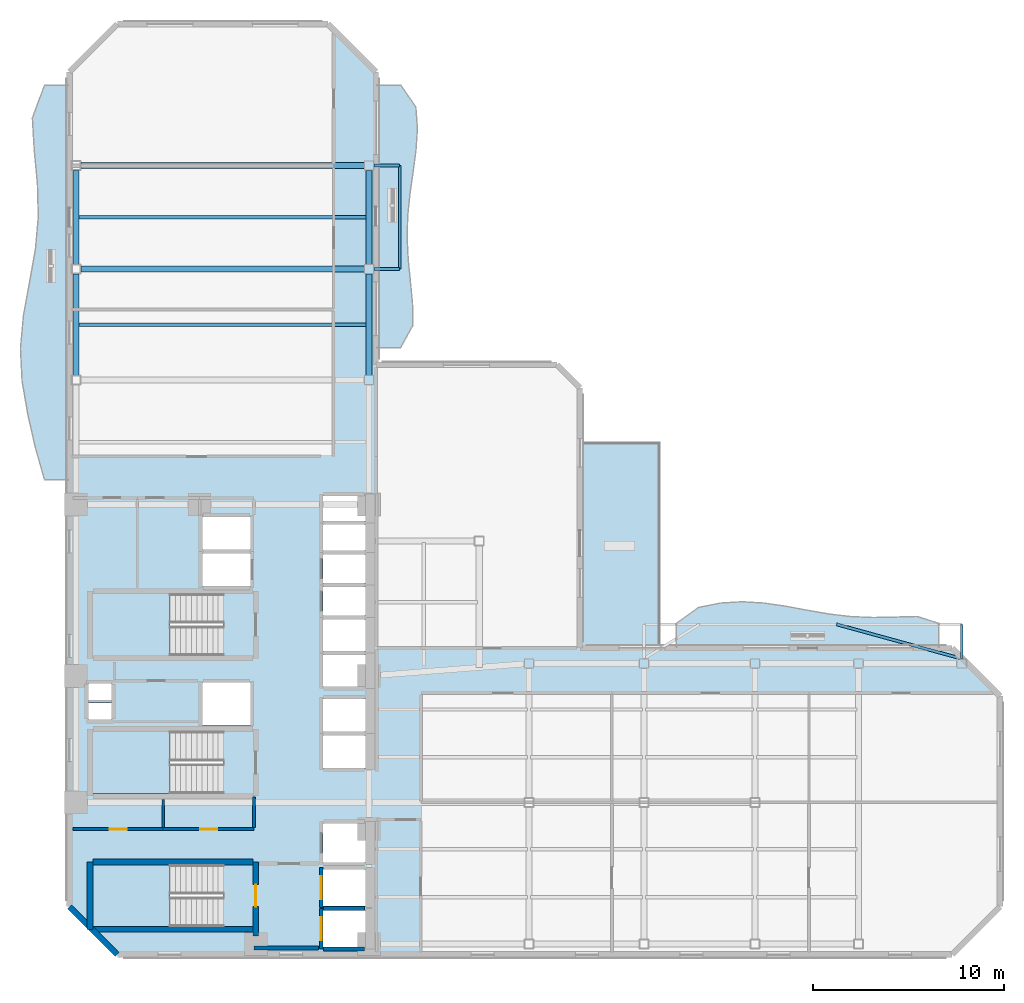
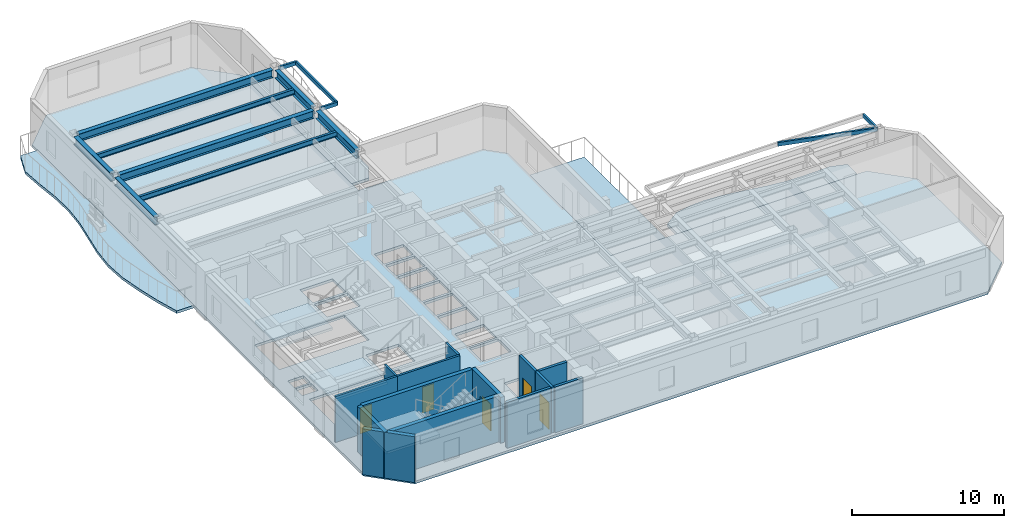
# One storey, part 2 of 11: 14 walls, 13 beams, 8 slabs, 5 doors, 5 openings, 3 elements without a shape of their own.
"""IFC4 building model written with IfcOpenShell, lengths in metres."""

from ifc_helpers import new_model, si_unit, direction, frame, frame_2d, origin, origin_2d, place, context, subcontext, project, spatial, polyline, rectangle, hollow_rectangle, i_section, outline, extrude, material, layer, layer_set, material_profile, profile_set, type_object, element, fill, aggregate, save


model = new_model("IFC4")

# Units and contexts
model_context = context("Model", 3, precision=1e-05, world=origin(), true_north=direction((0.0, 1.0)))
body_context = subcontext(model_context, "Body", "Model", "MODEL_VIEW")
ifc_project = project(units=[si_unit("LENGTHUNIT", "METRE"), si_unit("AREAUNIT", "SQUARE_METRE"), si_unit("VOLUMEUNIT", "CUBIC_METRE"), si_unit("PLANEANGLEUNIT", "RADIAN"), si_unit("MASSUNIT", "GRAM", prefix="KILO")], contexts=[model_context])

# Site, building, storey
site_placement = place(None, origin())
site = spatial("IfcSite", under=ifc_project, at=site_placement, CompositionType="ELEMENT")
building_placement = place(site_placement, origin())
building = spatial("IfcBuilding", under=site, at=building_placement, Name="Mawjaban Terraces University", CompositionType="ELEMENT")
storey_placement = place(building_placement, frame((0.0, 0.0, 103.39990234375)))
storey = spatial("IfcBuildingStorey", under=building, at=storey_placement, Name="L24", CompositionType="ELEMENT", Elevation=103.39990234375)

# Beams
ifc_material_1 = material(Name="Steel EN 10210-1 S355J2H", Category="steel")
ifc_material_profile_1 = material_profile(ifc_material_1, hollow_rectangle(XDim=0.14990234375, YDim=0.300048828125, WallThickness=0.012451171875, at=origin_2d()), Name="RHS300X150X12.5")
ifc_profile_set_1 = profile_set([ifc_material_profile_1], Name="Steel EN 10210-1 S355J2H")
beam_type_1 = type_object("IfcBeamType", Name="BalconyCantileverSpandrel_RHS", PredefinedType="SPANDREL", material=ifc_profile_set_1)
beam_1_placement = place(storey_placement, frame((68.60009765625, 15.449951171875, 3.5400390625), z_axis=(0.0, 1.0, 0.0), x_axis=(-1.0, 0.0, 0.0)))
element("IfcBeam", 1, at=beam_1_placement, inside=storey, type_object=beam_type_1, Name="L24 Exterior Outrigger BAL-L25-N.2", PredefinedType="SPANDREL", context=body_context, shape_type="SweptSolid", body=[
    extrude(hollow_rectangle(XDim=0.14990234375, YDim=0.300048828125, WallThickness=0.012451171875, at=origin_2d()), origin(), (0.0, 0.0, 1.0), 1.800048828125),
])
beam_2_placement = place(storey_placement, frame((68.60009765625, 15.449951171875, 3.5400390625), z_axis=(-0.964281358669, 0.264880088576, 0.0), x_axis=(-0.264880088576, -0.964281358669, 0.0)))
element("IfcBeam", 2, at=beam_2_placement, inside=storey, type_object=beam_type_1, Name="L24 Exterior Diagonal Strut BAL-L25-N.2", PredefinedType="SPANDREL", context=body_context, shape_type="SweptSolid", body=[
    extrude(hollow_rectangle(XDim=0.14990234375, YDim=0.300048828125, WallThickness=0.012451171875, at=origin_2d()), origin(), (0.0, 0.0, 1.0), 6.795654296875),
])
for number, where, z_axis, x_axis, name in (
    (3, (37.89990234375, 35.800048828125, 3.5400390625), (1.0, 0.0, 0.0), (0.0, 1.0, 0.0), "L24 Exterior Outrigger BAL-L25-E.1"),
    (4, (37.89990234375, 41.199951171875, 3.5400390625), (1.0, 0.0, 0.0), (0.0, 1.0, 0.0), "L24 Exterior Outrigger BAL-L25-E.2"),
):
    element("IfcBeam", number, at=place(storey_placement, frame(where, z_axis=z_axis, x_axis=x_axis)), inside=storey, type_object=beam_type_1, Name=name, PredefinedType="SPANDREL", context=body_context, shape_type="SweptSolid", body=[
        extrude(hollow_rectangle(XDim=0.14990234375, YDim=0.300048828125, WallThickness=0.012451171875, at=origin_2d()), origin(), (0.0, 0.0, 1.0), 1.35009765625),
    ])
beam_3_placement = place(storey_placement, frame((39.25, 35.800048828125, 3.5400390625), z_axis=(0.0, 1.0, 0.0), x_axis=(-1.0, 0.0, 0.0)))
element("IfcBeam", 5, at=beam_3_placement, inside=storey, type_object=beam_type_1, Name="L24 Exterior Edge Spandrel BAL-L25-E", PredefinedType="SPANDREL", context=body_context, shape_type="SweptSolid", body=[
    extrude(hollow_rectangle(XDim=0.14990234375, YDim=0.300048828125, WallThickness=0.012451171875, at=origin_2d()), origin(), (0.0, 0.0, 1.0), 5.39990234375),
])
ifc_material_2 = material(Name="Steel ASTM A572 Grade 50", Category="steel")
ifc_material_profile_2 = material_profile(ifc_material_2, i_section(OverallWidth=0.324951171875, OverallDepth=0.615966796875, WebThickness=0.013916015625, FlangeThickness=0.021484375, at=origin_2d()), Name="W610X174")
ifc_profile_set_2 = profile_set([ifc_material_profile_2], Name="Steel ASTM A572 Grade 50")
beam_type_2 = type_object("IfcBeamType", Name="Beam_B_W610X174", PredefinedType="BEAM", material=ifc_profile_set_2)
for number, where, z_axis, x_axis, name in (
    (6, (22.60009765625, 35.800048828125, 3.382080078125), (1.0, 0.0, 0.0), (0.0, 1.0, 0.0), "L24 Beam BM-L24-EW-15"),
    (7, (22.60009765625, 41.199951171875, 3.382080078125), (1.0, 0.0, 0.0), (0.0, 1.0, 0.0), "L24 Beam BM-L24-EW-16"),
):
    element("IfcBeam", number, at=place(storey_placement, frame(where, z_axis=z_axis, x_axis=x_axis)), inside=storey, type_object=beam_type_2, Name=name, PredefinedType="BEAM", context=body_context, shape_type="SweptSolid", body=[
        extrude(i_section(OverallWidth=0.324951171875, OverallDepth=0.615966796875, WebThickness=0.013916015625, FlangeThickness=0.021484375, at=origin_2d()), origin(), (0.0, 0.0, 1.0), 14.7998046875),
    ])
beam_4_placement = place(storey_placement, frame((22.35009765625, 30.25, 3.382080078125), z_axis=(0.0, 1.0, 0.0), x_axis=(-1.0, 0.0, 0.0)))
element("IfcBeam", 8, at=beam_4_placement, inside=storey, type_object=beam_type_2, Name="L24 Beam BM-L24-NS-04", PredefinedType="BEAM", context=body_context, shape_type="SweptSolid", body=[
    extrude(i_section(OverallWidth=0.324951171875, OverallDepth=0.615966796875, WebThickness=0.013916015625, FlangeThickness=0.021484375, at=origin_2d()), origin(), (0.0, 0.0, 1.0), 5.300048828125),
])
beam_5_placement = place(storey_placement, frame((22.35009765625, 36.050048828125, 3.382080078125), z_axis=(0.0, 1.0, 0.0), x_axis=(-1.0, 0.0, 0.0)))
element("IfcBeam", 9, at=beam_5_placement, inside=storey, type_object=beam_type_2, Name="L24 Beam BM-L24-NS-05", PredefinedType="BEAM", context=body_context, shape_type="SweptSolid", body=[
    extrude(i_section(OverallWidth=0.324951171875, OverallDepth=0.615966796875, WebThickness=0.013916015625, FlangeThickness=0.021484375, at=origin_2d()), origin(), (0.0, 0.0, 1.0), 4.89990234375),
])
beam_6_placement = place(storey_placement, frame((37.64990234375, 30.25, 3.382080078125), z_axis=(0.0, 1.0, 0.0), x_axis=(-1.0, 0.0, 0.0)))
element("IfcBeam", 10, at=beam_6_placement, inside=storey, type_object=beam_type_2, Name="L24 Beam BM-L24-NS-10", PredefinedType="BEAM", context=body_context, shape_type="SweptSolid", body=[
    extrude(i_section(OverallWidth=0.324951171875, OverallDepth=0.615966796875, WebThickness=0.013916015625, FlangeThickness=0.021484375, at=origin_2d()), origin(), (0.0, 0.0, 1.0), 5.300048828125),
])
beam_7_placement = place(storey_placement, frame((37.64990234375, 36.050048828125, 3.382080078125), z_axis=(0.0, 1.0, 0.0), x_axis=(-1.0, 0.0, 0.0)))
element("IfcBeam", 11, at=beam_7_placement, inside=storey, type_object=beam_type_2, Name="L24 Beam BM-L24-NS-11", PredefinedType="BEAM", context=body_context, shape_type="SweptSolid", body=[
    extrude(i_section(OverallWidth=0.324951171875, OverallDepth=0.615966796875, WebThickness=0.013916015625, FlangeThickness=0.021484375, at=origin_2d()), origin(), (0.0, 0.0, 1.0), 4.89990234375),
])
ifc_material_profile_3 = material_profile(ifc_material_2, i_section(OverallWidth=0.179931640625, OverallDepth=0.4130859375, WebThickness=0.009765625, FlangeThickness=0.01611328125, at=origin_2d()), Name="W410X74")
ifc_profile_set_3 = profile_set([ifc_material_profile_3], Name="Steel ASTM A572 Grade 50")
beam_type_3 = type_object("IfcBeamType", Name="Beam_J_W410X74", PredefinedType="JOIST", material=ifc_profile_set_3)
for number, where, z_axis, x_axis, name in (
    (12, (22.429931640625, 32.89990234375, 3.483154296875), (1.0, 0.0, 0.0), (0.0, 1.0, 0.0), "L24 Composite Joist JST-L24-19"),
    (13, (22.429931640625, 38.5, 3.483154296875), (1.0, 0.0, 0.0), (0.0, 1.0, 0.0), "L24 Composite Joist JST-L24-20"),
):
    element("IfcBeam", number, at=place(storey_placement, frame(where, z_axis=z_axis, x_axis=x_axis)), inside=storey, type_object=beam_type_3, Name=name, PredefinedType="JOIST", context=body_context, shape_type="SweptSolid", body=[
        extrude(i_section(OverallWidth=0.179931640625, OverallDepth=0.4130859375, WebThickness=0.009765625, FlangeThickness=0.01611328125, at=origin_2d()), origin(), (0.0, 0.0, 1.0), 15.14013671875),
    ])

# Slabs
ifc_material_3 = material(Name="Concrete C40/50", Category="concrete")
ifc_layer_1 = layer(ifc_material_3, 0.2099609375)
ifc_layer_set_1 = layer_set([ifc_layer_1], Name="Concrete C40/50")
slab_type_1 = type_object("IfcSlabType", Name="BalconySlab_210_Ext", PredefinedType="FLOOR", material=ifc_layer_set_1)
slab_1_placement = place(storey_placement, frame((0.0, 0.0, -0.2099609375)))
element("IfcSlab", 14, at=slab_1_placement, inside=storey, type_object=slab_type_1, Name="L24 Planted Balcony Slab west", PredefinedType="FLOOR", context=body_context, shape_type="SweptSolid", body=[
    extrude(outline(polyline([(22.010009765625, 24.800048828125), (22.010009765625, 45.39990234375), (20.699951171875, 45.39990234375), (20.06689453125, 43.68310546875), (20.166015625, 41.967041015625), (20.330078125, 40.25), (20.3759765625, 38.532958984375), (20.221923828125, 36.81689453125), (19.916015625, 35.10009765625), (19.60205078125, 33.383056640625), (19.444091796875, 31.6669921875), (19.529052734375, 29.949951171875), (19.825927734375, 28.23291015625), (20.208984375, 26.51708984375), (20.699951171875, 24.800048828125), (22.010009765625, 24.800048828125)])), origin(), (0.0, 0.0, 1.0), 0.2099609375),
])
slab_2_placement = place(storey_placement, frame((0.0, 0.0, -0.2099609375)))
element("IfcSlab", 15, at=slab_2_placement, inside=storey, type_object=slab_type_1, Name="L24 Planted Balcony Slab inner_north", PredefinedType="FLOOR", context=body_context, shape_type="SweptSolid", body=[
    extrude(outline(polyline([(53.699951171875, 15.989990234375), (67.39990234375, 15.989990234375), (67.39990234375, 17.300048828125), (66.258056640625, 17.656982421875), (65.116943359375, 17.625), (63.97509765625, 17.60205078125), (62.8330078125, 17.64892578125), (61.69189453125, 17.781005859375), (60.550048828125, 17.97802734375), (59.407958984375, 18.19091796875), (58.26708984375, 18.35888671875), (57.125, 18.427001953125), (55.98291015625, 18.35693359375), (54.842041015625, 18.123046875), (53.699951171875, 17.300048828125), (53.699951171875, 15.989990234375)])), origin(), (0.0, 0.0, 1.0), 0.2099609375),
])
slab_3_placement = place(storey_placement, frame((0.0, 0.0, -0.2099609375)))
element("IfcSlab", 16, at=slab_3_placement, inside=storey, type_object=slab_type_1, Name="L24 Planted Balcony Slab inner_east", PredefinedType="FLOOR", context=body_context, shape_type="SweptSolid", body=[
    extrude(outline(polyline([(39.300048828125, 31.699951171875), (39.929931640625, 32.842041015625), (39.91796875, 33.98291015625), (39.80908203125, 35.125), (39.695068359375, 36.26708984375), (39.636962890625, 37.407958984375), (39.6650390625, 38.550048828125), (39.779052734375, 39.69189453125), (39.94189453125, 40.8330078125), (40.095947265625, 41.97509765625), (40.172119140625, 43.116943359375), (40.092041015625, 44.258056640625), (39.300048828125, 45.39990234375), (37.989990234375, 45.39990234375), (37.989990234375, 31.699951171875), (39.300048828125, 31.699951171875)])), origin(), (0.0, 0.0, 1.0), 0.2099609375),
])
ifc_layer_2 = layer(ifc_material_3, 0.2099609375)
ifc_layer_set_2 = layer_set([ifc_layer_2], Name="Concrete C40/50")
slab_type_2 = type_object("IfcSlabType", Name="CompositeSlab_210", PredefinedType="FLOOR", material=ifc_layer_set_2)
slab_4_placement = place(storey_placement, frame((0.0, 0.0, -0.2099609375)))
element("IfcSlab", 17, at=slab_4_placement, inside=storey, type_object=slab_type_2, Name="L24 Primary Structural Slab", PredefinedType="FLOOR", context=body_context, shape_type="SweptSolid", body=[
    extrude(outline(polyline([(24.5, 0.0), (68.10009765625, 0.0), (70.60009765625, 2.5), (70.60009765625, 13.5), (68.10009765625, 16.0), (48.656005859375, 16.0), (48.656005859375, 29.60009765625), (47.4560546875, 30.800048828125), (38.0, 30.800048828125), (38.0, 46.10009765625), (35.5, 48.60009765625), (24.5, 48.60009765625), (22.0, 46.10009765625), (22.0, 2.5), (24.5, 0.0)]), holes=[polyline([(30.014892578125, 4.699951171875), (23.199951171875, 4.699951171875), (23.199951171875, 1.449951171875), (30.014892578125, 1.449951171875), (30.014892578125, 4.699951171875)]), polyline([(30.014892578125, 18.85009765625), (23.199951171875, 18.85009765625), (23.199951171875, 15.60009765625), (30.014892578125, 15.60009765625), (30.014892578125, 18.85009765625)]), polyline([(30.014892578125, 11.64990234375), (23.199951171875, 11.64990234375), (23.199951171875, 8.39990234375), (30.014892578125, 8.39990234375), (30.014892578125, 11.64990234375)]), polyline([(35.25, 0.39990234375), (37.449951171875, 0.39990234375), (37.449951171875, 2.300048828125), (35.25, 2.300048828125), (35.25, 0.39990234375)]), polyline([(35.25, 2.550048828125), (37.449951171875, 2.550048828125), (37.449951171875, 4.449951171875), (35.25, 4.449951171875), (35.25, 2.550048828125)]), polyline([(35.25, 4.800048828125), (37.449951171875, 4.800048828125), (37.449951171875, 6.85009765625), (35.25, 6.85009765625), (35.25, 4.800048828125)]), polyline([(35.25, 9.75), (37.449951171875, 9.75), (37.449951171875, 11.449951171875), (35.25, 11.449951171875), (35.25, 9.75)]), polyline([(35.25, 11.64990234375), (37.449951171875, 11.64990234375), (37.449951171875, 13.35009765625), (35.25, 13.35009765625), (35.25, 11.64990234375)]), polyline([(28.949951171875, 12.0), (31.449951171875, 12.0), (31.449951171875, 14.199951171875), (28.949951171875, 14.199951171875), (28.949951171875, 12.0)]), polyline([(35.25, 14.0), (37.449951171875, 14.0), (37.449951171875, 15.64990234375), (35.25, 15.64990234375), (35.25, 14.0)]), polyline([(35.25, 15.85009765625), (37.449951171875, 15.85009765625), (37.449951171875, 17.5), (35.25, 17.5), (35.25, 15.85009765625)]), polyline([(35.25, 17.699951171875), (37.449951171875, 17.699951171875), (37.449951171875, 19.199951171875), (35.25, 19.199951171875), (35.25, 17.699951171875)]), polyline([(35.25, 19.39990234375), (37.449951171875, 19.39990234375), (37.449951171875, 20.89990234375), (35.25, 20.89990234375), (35.25, 19.39990234375)]), polyline([(28.949951171875, 19.25), (31.449951171875, 19.25), (31.449951171875, 20.949951171875), (28.949951171875, 20.949951171875), (28.949951171875, 19.25)]), polyline([(35.25, 21.10009765625), (37.449951171875, 21.10009765625), (37.449951171875, 22.449951171875), (35.25, 22.449951171875), (35.25, 21.10009765625)]), polyline([(35.25, 22.64990234375), (37.449951171875, 22.64990234375), (37.449951171875, 23.949951171875), (35.25, 23.949951171875), (35.25, 22.64990234375)]), polyline([(28.949951171875, 21.14990234375), (31.449951171875, 21.14990234375), (31.449951171875, 22.85009765625), (28.949951171875, 22.85009765625), (28.949951171875, 21.14990234375)]), polyline([(23.0, 12.25), (24.199951171875, 12.25), (24.199951171875, 13.14990234375), (23.0, 13.14990234375), (23.0, 12.25)]), polyline([(23.0, 13.300048828125), (24.199951171875, 13.300048828125), (24.199951171875, 14.179931640625), (23.0, 14.179931640625), (23.0, 13.300048828125)])]), origin(), (0.0, 0.0, 1.0), 0.2099609375),
])

# Stair, slab
stair_type = type_object("IfcStairType", Name="Stair_Core1550_H39", PredefinedType="HALF_TURN_STAIR", material=ifc_material_3)
stair_1_placement = place(storey_placement, origin())
stair_1 = element("IfcStair", 18, at=stair_1_placement, inside=storey, type_object=stair_type, Name="L24 Core Exit Stair 1", PredefinedType="HALF_TURN_STAIR")
ifc_layer_3 = layer(ifc_material_3, 0.199951171875)
ifc_layer_set_3 = layer_set([ifc_layer_3], Name="Concrete C40/50")
slab_type_3 = type_object("IfcSlabType", Name="StairLandingSlab_200", PredefinedType="LANDING", material=ifc_layer_set_3)
slab_5_placement = place(storey_placement, frame((0.0, 0.0, 1.75)))
slab_5 = element("IfcSlab", 19, at=slab_5_placement, type_object=slab_type_3, Name="ST-1 landing 1", PredefinedType="LANDING", context=body_context, shape_type="SweptSolid", body=[
    extrude(outline(polyline([(27.25, 4.699951171875), (23.199951171875, 4.699951171875), (23.199951171875, 1.449951171875), (27.25, 1.449951171875), (27.25, 4.699951171875)])), origin(), (0.0, 0.0, 1.0), 0.2001953125),
])
aggregate(stair_1, [slab_5])

stair_2_placement = place(storey_placement, origin())
stair_2 = element("IfcStair", 20, at=stair_2_placement, inside=storey, type_object=stair_type, Name="L24 Core Exit Stair 2", PredefinedType="HALF_TURN_STAIR")
slab_6_placement = place(storey_placement, frame((0.0, 0.0, 1.75)))
slab_6 = element("IfcSlab", 21, at=slab_6_placement, type_object=slab_type_3, Name="ST-2 landing 1", PredefinedType="LANDING", context=body_context, shape_type="SweptSolid", body=[
    extrude(outline(polyline([(27.25, 18.85009765625), (23.199951171875, 18.85009765625), (23.199951171875, 15.60009765625), (27.25, 15.60009765625), (27.25, 18.85009765625)])), origin(), (0.0, 0.0, 1.0), 0.2001953125),
])
aggregate(stair_2, [slab_6])

stair_3_placement = place(storey_placement, origin())
stair_3 = element("IfcStair", 22, at=stair_3_placement, inside=storey, type_object=stair_type, Name="L24 Core Exit Stair 3", PredefinedType="HALF_TURN_STAIR")
slab_7_placement = place(storey_placement, frame((0.0, 0.0, 1.75)))
slab_7 = element("IfcSlab", 23, at=slab_7_placement, type_object=slab_type_3, Name="ST-3 landing 1", PredefinedType="LANDING", context=body_context, shape_type="SweptSolid", body=[
    extrude(outline(polyline([(27.25, 11.64990234375), (23.199951171875, 11.64990234375), (23.199951171875, 8.39990234375), (27.25, 8.39990234375), (27.25, 11.64990234375)])), origin(), (0.0, 0.0, 1.0), 0.2001953125),
])
aggregate(stair_3, [slab_7])

# Slab
ifc_layer_4 = layer(ifc_material_3, 0.2099609375)
ifc_layer_set_4 = layer_set([ifc_layer_4], Name="Concrete C40/50")
slab_type_4 = type_object("IfcSlabType", Name="StudyTerraceSlab_210_Ext", PredefinedType="FLOOR", material=ifc_layer_set_4)
slab_8_placement = place(storey_placement, frame((0.0, 0.0, -0.2099609375)))
element("IfcSlab", 24, at=slab_8_placement, inside=storey, type_object=slab_type_4, Name="L24 Exterior Study Terrace Slab", PredefinedType="FLOOR", context=body_context, shape_type="SweptSolid", body=[
    extrude(outline(polyline([(48.656005859375, 16.0), (52.800048828125, 16.0), (52.800048828125, 26.699951171875), (48.656005859375, 26.699951171875), (48.656005859375, 16.0)])), origin(), (0.0, 0.0, 1.0), 0.2099609375),
])

# Wall, opening, door
ifc_material_4 = material(Name="Fire-rated gypsum board on steel stud", Category="steel")
ifc_layer_5 = layer(ifc_material_4, 0.159912109375)
ifc_layer_set_5 = layer_set([ifc_layer_5], Name="Fire-rated gypsum board on steel stud")
wall_type_1 = type_object("IfcWallType", Name="CorridorPartition_160", PredefinedType="PARTITIONING", material=ifc_layer_set_5)
wall_1_placement = place(storey_placement, frame((26.89990234375, 6.550048828125, 0.0), z_axis=(0.0, 0.0, 1.0), x_axis=(-1.0, 0.0, 0.0)))
wall_1 = element("IfcWall", 25, at=wall_1_placement, inside=storey, type_object=wall_type_1, Name="L24 Core Washroom Lobby Partition 4", PredefinedType="PARTITIONING", context=body_context, shape_type="SweptSolid", body=[
    extrude(rectangle(XDim=4.699951171875, YDim=0.159912109375, at=frame_2d((2.35009765625, 0.0))), origin(), (0.0, 0.0, 1.0), 3.690185546875),
])
opening_1_placement = place(wall_1_placement, frame((1.909912109375, 0.0, 0.0)))
opening_1 = element("IfcOpeningElement", 26, at=opening_1_placement, cuts=wall_1, Name="Opening ID-088", PredefinedType="OPENING", context=body_context, shape_type="SweptSolid", body=[
    extrude(rectangle(XDim=0.8798828125, YDim=2.10009765625, at=frame_2d((0.43994140625, 1.050048828125))), frame((0.0, 0.08984375, 0.0), z_axis=(0.0, -1.0, 0.0), x_axis=(1.0, 0.0, 0.0)), (0.0, 0.0, 1.0), 0.179931640625),
])
ifc_material_5 = material(Name="Powder-coated steel frame and solid acoustic timber leaf", Category="steel")
door_type_1 = type_object("IfcDoorType", Name="ToiletDoor_880x2100", OperationType="NOTDEFINED", PredefinedType="DOOR", material=ifc_material_5)
door_1_placement = place(opening_1_placement, origin())
door_1 = element("IfcDoor", 27, at=door_1_placement, inside=storey, type_object=door_type_1, Name="L24 Male Toilet Door", OperationType="SINGLE_SWING_LEFT", OverallHeight=2.10009765625, OverallWidth=0.8798828125, PredefinedType="DOOR", context=body_context, shape_type="SweptSolid", body=[
    extrude(rectangle(XDim=0.8798828125, YDim=2.10009765625, at=frame_2d((0.43994140625, 1.050048828125))), frame((0.0, 0.02490234375, 0.0), z_axis=(0.0, -1.0, 0.0), x_axis=(1.0, 0.0, 0.0)), (0.0, 0.0, 1.0), 0.050048828125),
])
fill(opening_1, door_1)

wall_2_placement = place(storey_placement, frame((31.64990234375, 6.550048828125, 0.0), z_axis=(0.0, 0.0, 1.0), x_axis=(-1.0, 0.0, 0.0)))
wall_2 = element("IfcWall", 28, at=wall_2_placement, inside=storey, type_object=wall_type_1, Name="L24 Core Washroom Lobby Partition 8", PredefinedType="PARTITIONING", context=body_context, shape_type="SweptSolid", body=[
    extrude(rectangle(XDim=4.75, YDim=0.159912109375, at=frame_2d((2.375, 0.0))), origin(), (0.0, 0.0, 1.0), 3.690185546875),
])
opening_2_placement = place(wall_2_placement, frame((1.93505859375, 0.0, 0.0)))
opening_2 = element("IfcOpeningElement", 29, at=opening_2_placement, cuts=wall_2, Name="Opening ID-088", PredefinedType="OPENING", context=body_context, shape_type="SweptSolid", body=[
    extrude(rectangle(XDim=0.8798828125, YDim=2.10009765625, at=frame_2d((0.43994140625, 1.050048828125))), frame((0.0, 0.08984375, 0.0), z_axis=(0.0, -1.0, 0.0), x_axis=(1.0, 0.0, 0.0)), (0.0, 0.0, 1.0), 0.179931640625),
])
door_2_placement = place(opening_2_placement, origin())
door_2 = element("IfcDoor", 30, at=door_2_placement, inside=storey, type_object=door_type_1, Name="L24 Accessible Toilet Door", OperationType="SINGLE_SWING_RIGHT", OverallHeight=2.10009765625, OverallWidth=0.8798828125, PredefinedType="DOOR", context=body_context, shape_type="SweptSolid", body=[
    extrude(rectangle(XDim=0.8798828125, YDim=2.10009765625, at=frame_2d((0.43994140625, 1.050048828125))), frame((0.0, 0.02490234375, 0.0), z_axis=(0.0, -1.0, 0.0), x_axis=(1.0, 0.0, 0.0)), (0.0, 0.0, 1.0), 0.050048828125),
])
fill(opening_2, door_2)

# Walls
wall_3_placement = place(storey_placement, frame((31.64990234375, 8.239990234375, 0.0), z_axis=(0.0, 0.0, 1.0), x_axis=(0.0, -1.0, 0.0)))
element("IfcWall", 31, at=wall_3_placement, inside=storey, type_object=wall_type_1, Name="L24 Passenger Lift Lobby Partition 26", PredefinedType="PARTITIONING", context=body_context, shape_type="SweptSolid", body=[
    extrude(rectangle(XDim=1.614990234375, YDim=0.159912109375, at=frame_2d((0.8076171875, 0.0))), origin(), (0.0, 0.0, 1.0), 3.690185546875),
])
ifc_material_6 = material(Name="Insulated terracotta rainscreen on concrete backup C40/50", Category="masonry")
ifc_layer_6 = layer(ifc_material_6, 0.300048828125)
ifc_layer_set_6 = layer_set([ifc_layer_6], Name="Insulated terracotta rainscreen on concrete backup C40/50")
wall_type_2 = type_object("IfcWallType", Name="ExtTerracottaWall_300", PredefinedType="SOLIDWALL", material=ifc_layer_set_6)
wall_4_placement = place(storey_placement, frame((22.0, 2.5, 0.0), z_axis=(0.0, 0.0, 1.0), x_axis=(0.707106781187, -0.707106781187, 0.0)))
element("IfcWall", 32, at=wall_4_placement, inside=storey, type_object=wall_type_2, Name="L24 Exterior Terracotta Wall 14", PredefinedType="SOLIDWALL", context=body_context, shape_type="SweptSolid", body=[
    extrude(rectangle(XDim=3.53564453125, YDim=0.300048828125, at=frame_2d((1.767822265625, 0.0))), origin(), (0.0, 0.0, 1.0), 3.690185546875),
])

# Wall, opening, door
ifc_layer_7 = layer(ifc_material_3, 0.199951171875)
ifc_layer_set_7 = layer_set([ifc_layer_7], Name="Concrete C40/50")
wall_type_3 = type_object("IfcWallType", Name="FireLobbyWall_200", PredefinedType="SOLIDWALL", material=ifc_layer_set_7)
wall_5_placement = place(storey_placement, frame((35.14990234375, 2.39990234375, 0.0), z_axis=(0.0, 0.0, 1.0), x_axis=(0.0, -1.0, 0.0)))
wall_5 = element("IfcWall", 33, at=wall_5_placement, inside=storey, type_object=wall_type_3, Name="L24 Lift FL-1 Hoistway Wall West", PredefinedType="SOLIDWALL", context=body_context, shape_type="SweptSolid", body=[
    extrude(rectangle(XDim=2.099853515625, YDim=0.199951171875, at=frame_2d((1.0498046875, 0.0))), origin(), (0.0, 0.0, 1.0), 3.690185546875),
])
opening_3_placement = place(wall_5_placement, frame((0.449951171875, 0.0, 0.0)))
opening_3 = element("IfcOpeningElement", 34, at=opening_3_placement, cuts=wall_5, Name="Opening LD-FL-1", PredefinedType="OPENING", context=body_context, shape_type="SweptSolid", body=[
    extrude(rectangle(XDim=1.199951171875, YDim=2.14990234375, at=frame_2d((0.60009765625, 1.074951171875))), frame((0.0, 0.10986328125, 0.0), z_axis=(0.0, -1.0, 0.0), x_axis=(1.0, 0.0, 0.0)), (0.0, 0.0, 1.0), 0.219970703125),
])
ifc_material_7 = material(Name="Powder-coated steel frame and fire-rated steel-faced leaf", Category="steel")
door_type_2 = type_object("IfcDoorType", Name="LiftLandingFSAE_1200x2150", OperationType="NOTDEFINED", PredefinedType="DOOR", material=ifc_material_7)
door_3_placement = place(opening_3_placement, origin())
door_3 = element("IfcDoor", 35, at=door_3_placement, inside=storey, type_object=door_type_2, Name="L24 Lift FL-1 Sliding Landing Door", OperationType="DOUBLE_DOOR_SLIDING", OverallHeight=2.14990234375, OverallWidth=1.199951171875, PredefinedType="DOOR", context=body_context, shape_type="SweptSolid", body=[
    extrude(rectangle(XDim=1.199951171875, YDim=2.14990234375, at=frame_2d((0.60009765625, 1.074951171875))), frame((0.0, 0.02490234375, 0.0), z_axis=(0.0, -1.0, 0.0), x_axis=(1.0, 0.0, 0.0)), (0.0, 0.0, 1.0), 0.050048828125),
])
fill(opening_3, door_3)

# Walls
for number, where, z_axis, x_axis, name in (
    (36, (35.280029296875, 0.300048828125, 0.0), (0.0, 0.0, 1.0), (1.0, 0.0, 0.0), "L24 Lift FL-1 Hoistway Wall South"),
    (37, (37.419921875, 2.39990234375, 0.0), (0.0, 0.0, 1.0), (-1.0, 0.0, 0.0), "L24 Lift FL-1 Hoistway Wall North"),
):
    element("IfcWall", number, at=place(storey_placement, frame(where, z_axis=z_axis, x_axis=x_axis)), inside=storey, type_object=wall_type_3, Name=name, PredefinedType="SOLIDWALL", context=body_context, shape_type="SweptSolid", body=[
        extrude(rectangle(XDim=2.139892578125, YDim=0.199951171875, at=frame_2d((1.06982421875, 0.0))), origin(), (0.0, 0.0, 1.0), 3.690185546875),
    ])

# Wall, opening, door
wall_6_placement = place(storey_placement, frame((35.14990234375, 4.550048828125, 0.0), z_axis=(0.0, 0.0, 1.0), x_axis=(0.0, -1.0, 0.0)))
wall_6 = element("IfcWall", 38, at=wall_6_placement, inside=storey, type_object=wall_type_3, Name="L24 Lift FL-2 Hoistway Wall West", PredefinedType="SOLIDWALL", context=body_context, shape_type="SweptSolid", body=[
    extrude(rectangle(XDim=2.10009765625, YDim=0.199951171875, at=frame_2d((1.050048828125, 0.0))), origin(), (0.0, 0.0, 1.0), 3.690185546875),
])
opening_4_placement = place(wall_6_placement, frame((0.449951171875, 0.0, 0.0)))
opening_4 = element("IfcOpeningElement", 39, at=opening_4_placement, cuts=wall_6, Name="Opening LD-FL-2", PredefinedType="OPENING", context=body_context, shape_type="SweptSolid", body=[
    extrude(rectangle(XDim=1.199951171875, YDim=2.14990234375, at=frame_2d((0.60009765625, 1.074951171875))), frame((0.0, 0.10986328125, 0.0), z_axis=(0.0, -1.0, 0.0), x_axis=(1.0, 0.0, 0.0)), (0.0, 0.0, 1.0), 0.219970703125),
])
door_4_placement = place(opening_4_placement, origin())
door_4 = element("IfcDoor", 40, at=door_4_placement, inside=storey, type_object=door_type_2, Name="L24 Lift FL-2 Sliding Landing Door", OperationType="DOUBLE_DOOR_SLIDING", OverallHeight=2.14990234375, OverallWidth=1.199951171875, PredefinedType="DOOR", context=body_context, shape_type="SweptSolid", body=[
    extrude(rectangle(XDim=1.199951171875, YDim=2.14990234375, at=frame_2d((0.60009765625, 1.074951171875))), frame((0.0, 0.02490234375, 0.0), z_axis=(0.0, -1.0, 0.0), x_axis=(1.0, 0.0, 0.0)), (0.0, 0.0, 1.0), 0.050048828125),
])
fill(opening_4, door_4)

# Walls
wall_7_placement = place(storey_placement, frame((31.64990234375, 0.35009765625, 0.0), z_axis=(0.0, 0.0, 1.0), x_axis=(1.0, 0.0, 0.0)))
element("IfcWall", 41, at=wall_7_placement, inside=storey, type_object=wall_type_3, Name="L24 Firefighting Lift Lobby Partition 7", PredefinedType="SOLIDWALL", context=body_context, shape_type="SweptSolid", body=[
    extrude(rectangle(XDim=3.3701171875, YDim=0.199951171875, at=frame_2d((1.68505859375, 0.0))), origin(), (0.0, 0.0, 1.0), 3.690185546875),
])
ifc_material_8 = material(Name="Concrete C60/75", Category="concrete")
ifc_layer_8 = layer(ifc_material_8, 0.300048828125)
ifc_layer_set_8 = layer_set([ifc_layer_8], Name="Concrete C60/75")
wall_type_4 = type_object("IfcWallType", Name="StairShaftWall_300", PredefinedType="SHEAR", material=ifc_layer_set_8)
wall_8_placement = place(storey_placement, frame((31.580078125, 4.830078125, 0.0), z_axis=(0.0, 0.0, 1.0), x_axis=(-1.0, 0.0, 0.0)))
element("IfcWall", 42, at=wall_8_placement, inside=storey, type_object=wall_type_4, Name="L24 ST-1 Stair Shaft Wall 1", PredefinedType="SHEAR", context=body_context, shape_type="SweptSolid", body=[
    extrude(rectangle(XDim=8.360107421875, YDim=0.300048828125, at=frame_2d((4.18017578125, 0.0))), origin(), (0.0, 0.0, 1.0), 3.690185546875),
])
wall_9_placement = place(storey_placement, frame((23.070068359375, 4.830078125, 0.0), z_axis=(0.0, 0.0, 1.0), x_axis=(0.0, -1.0, 0.0)))
element("IfcWall", 43, at=wall_9_placement, inside=storey, type_object=wall_type_4, Name="L24 ST-1 Stair Shaft Wall 2", PredefinedType="SHEAR", context=body_context, shape_type="SweptSolid", body=[
    extrude(rectangle(XDim=3.510009765625, YDim=0.300048828125, at=frame_2d((1.7548828125, 0.0))), origin(), (0.0, 0.0, 1.0), 3.690185546875),
])
wall_10_placement = place(storey_placement, frame((23.219970703125, 1.320068359375, 0.0), z_axis=(0.0, 0.0, 1.0), x_axis=(1.0, 0.0, 0.0)))
element("IfcWall", 44, at=wall_10_placement, inside=storey, type_object=wall_type_4, Name="L24 ST-1 Stair Shaft Wall 3", PredefinedType="SHEAR", context=body_context, shape_type="SweptSolid", body=[
    extrude(rectangle(XDim=8.360107421875, YDim=0.300048828125, at=frame_2d((4.18017578125, 0.0))), origin(), (0.0, 0.0, 1.0), 3.690185546875),
])

# Wall, opening, door
wall_11_placement = place(storey_placement, frame((31.72998046875, 0.9599609375, 0.0), z_axis=(0.0, 0.0, 1.0), x_axis=(0.0, 1.0, 0.0)))
wall_11 = element("IfcWall", 45, at=wall_11_placement, inside=storey, type_object=wall_type_4, Name="L24 ST-1 Stair Shaft Wall 4", PredefinedType="SHEAR", context=body_context, shape_type="SweptSolid", body=[
    extrude(rectangle(XDim=3.8701171875, YDim=0.300048828125, at=frame_2d((1.93505859375, 0.0))), origin(), (0.0, 0.0, 1.0), 3.690185546875),
])
opening_5_placement = place(wall_11_placement, frame((1.5400390625, 0.0, 0.0)))
opening_5 = element("IfcOpeningElement", 46, at=opening_5_placement, cuts=wall_11, Name="Opening FD-115", PredefinedType="OPENING", context=body_context, shape_type="SweptSolid", body=[
    extrude(rectangle(XDim=1.14990234375, YDim=2.14990234375, at=frame_2d((0.574951171875, 1.074951171875))), frame((0.0, 0.159912109375, 0.0), z_axis=(0.0, -1.0, 0.0), x_axis=(1.0, 0.0, 0.0)), (0.0, 0.0, 1.0), 0.320068359375),
])
door_type_3 = type_object("IfcDoorType", Name="FireStairDoor_1150x2150", OperationType="NOTDEFINED", PredefinedType="DOOR", material=ifc_material_7)
door_5_placement = place(opening_5_placement, origin())
door_5 = element("IfcDoor", 47, at=door_5_placement, inside=storey, type_object=door_type_3, Name="L24 ST-1 Pressurised Stair Fire Door", OperationType="SINGLE_SWING_LEFT", OverallHeight=2.14990234375, OverallWidth=1.14990234375, PredefinedType="DOOR", context=body_context, shape_type="SweptSolid", body=[
    extrude(rectangle(XDim=1.14990234375, YDim=2.14990234375, at=frame_2d((0.574951171875, 1.074951171875))), frame((0.0, 0.02490234375, 0.0), z_axis=(0.0, -1.0, 0.0), x_axis=(1.0, 0.0, 0.0)), (0.0, 0.0, 1.0), 0.050048828125),
])
fill(opening_5, door_5)

# Wall
ifc_material_9 = material(Name="Cement-board wet-room partition", Category="masonry")
ifc_layer_9 = layer(ifc_material_9, 0.135009765625)
ifc_layer_set_9 = layer_set([ifc_layer_9], Name="Cement-board wet-room partition")
wall_type_5 = type_object("IfcWallType", Name="WetRoomPartition_135", PredefinedType="PARTITIONING", material=ifc_layer_set_9)
wall_12_placement = place(storey_placement, frame((26.89990234375, 6.625, 0.0), z_axis=(0.0, 0.0, 1.0), x_axis=(0.0, 1.0, 0.0)))
element("IfcWall", 48, at=wall_12_placement, inside=storey, type_object=wall_type_5, Name="L24 Male Toilet Partition 24", PredefinedType="PARTITIONING", context=body_context, shape_type="SweptSolid", body=[
    extrude(rectangle(XDim=1.465087890625, YDim=0.135009765625, at=frame_2d((0.732421875, 0.0))), origin(), (0.0, 0.0, 1.0), 3.690185546875),
])

save(model, "model.ifc")
